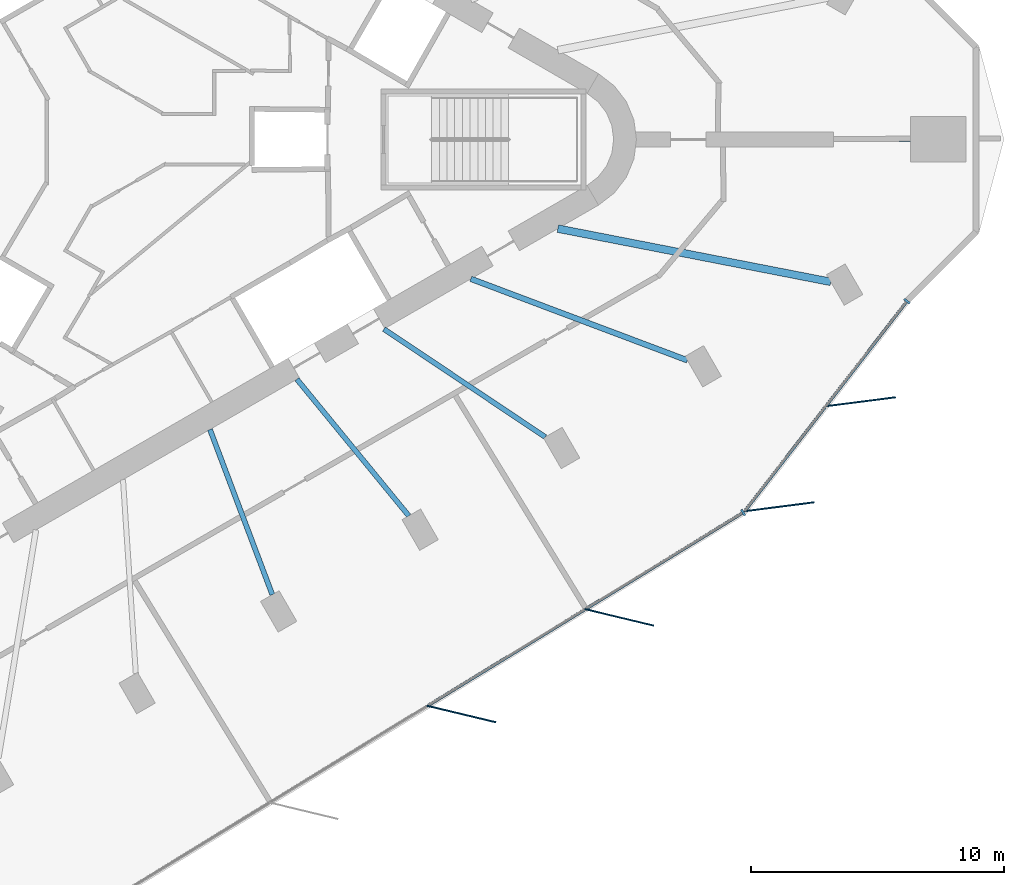
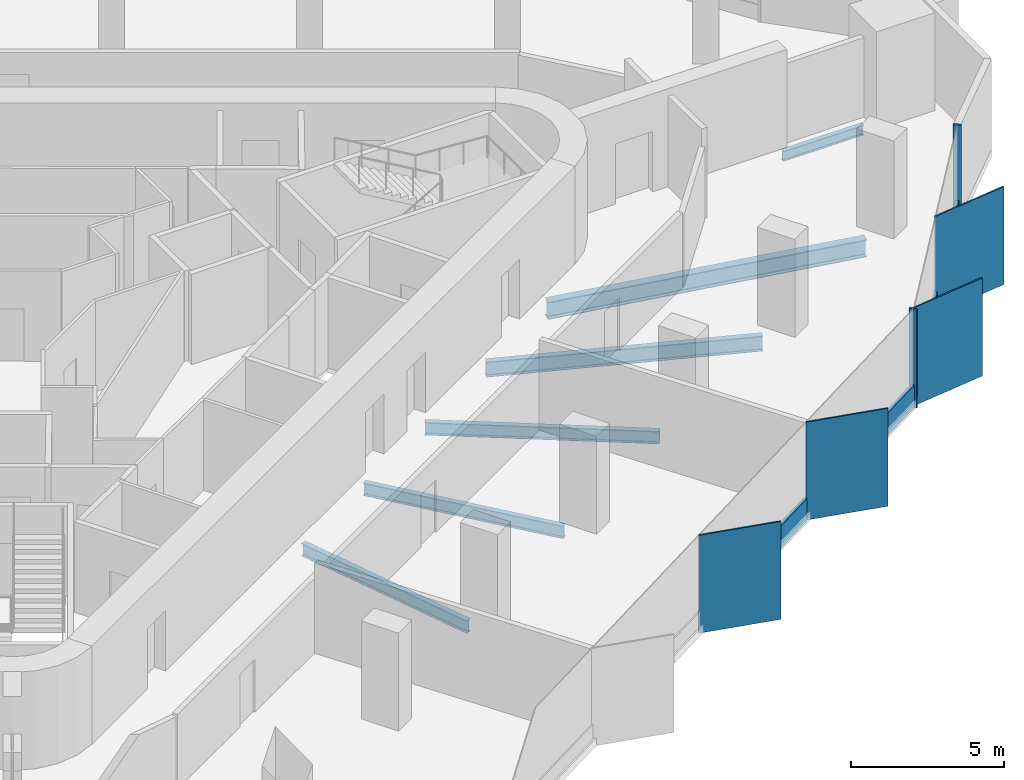
# One storey, part 3 of 12: 10 members, 6 beams, 2 elements without a shape of their own.
"""IFC4 building model written with IfcOpenShell, lengths in metres."""

from ifc_helpers import new_model, si_unit, direction, frame, origin, origin_2d, place, context, subcontext, project, spatial, rectangle, i_section, extrude, material, material_profile, profile_set, type_object, element, aggregate, save


model = new_model("IFC4")

# Units and contexts
model_context = context("Model", 3, precision=1e-05, world=origin(), true_north=direction((0.0, 1.0)))
body_context = subcontext(model_context, "Body", "Model", "MODEL_VIEW")
ifc_project = project(units=[si_unit("LENGTHUNIT", "METRE"), si_unit("AREAUNIT", "SQUARE_METRE"), si_unit("VOLUMEUNIT", "CUBIC_METRE"), si_unit("PLANEANGLEUNIT", "RADIAN"), si_unit("MASSUNIT", "GRAM", prefix="KILO")], contexts=[model_context])

# Site, building, storey
site_placement = place(None, origin())
site = spatial("IfcSite", under=ifc_project, at=site_placement, CompositionType="ELEMENT")
building_placement = place(site_placement, origin())
building = spatial("IfcBuilding", under=site, at=building_placement, Name="Tanit Gate Tower", CompositionType="ELEMENT")
storey_placement = place(building_placement, frame((0.0, 0.0, 349.39990234375)))
storey = spatial("IfcBuildingStorey", under=building, at=storey_placement, Name="L79", CompositionType="ELEMENT", Elevation=349.39990234375)

# Curtain wall, members
ifc_material_1 = material(Name="Aluminium bronze anodised and glass", Category="aluminium")
curtain_wall_type = type_object("IfcCurtainWallType", Name="Curtain wall typical high", PredefinedType="NOTDEFINED", material=ifc_material_1)
curtain_wall_1_placement = place(storey_placement, origin())
curtain_wall_1 = element("IfcCurtainWall", 1, at=curtain_wall_1_placement, inside=storey, type_object=curtain_wall_type, Name="Curtain wall L79 SE2", PredefinedType="NOTDEFINED")
ifc_material_2 = material(Name="Aluminium bronze anodised", Category="aluminium")
ifc_material_profile_1 = material_profile(ifc_material_2, rectangle(XDim=2.800048828125, YDim=0.055908203125, at=origin_2d()), Name="56x2800 bronze fin mullion")
ifc_profile_set_1 = profile_set([ifc_material_profile_1], Name="Aluminium bronze anodised")
member_type_1 = type_object("IfcMemberType", Name="FIN MULLION 56x2800 bronze", PredefinedType="MULLION", material=ifc_profile_set_1)
member_1_placement = place(storey_placement, frame((14.2783203125, -22.727783203125, -0.2998046875), z_axis=(0.0, 0.0, 1.0), x_axis=(-0.972310815553, 0.233691416098, 0.0)))
member_1 = element("IfcMember", 2, at=member_1_placement, type_object=member_type_1, Name="Fin mullion L79 SE2.3", PredefinedType="MULLION", context=body_context, shape_type="SweptSolid", body=[
    extrude(rectangle(XDim=2.800048828125, YDim=0.055908203125, at=origin_2d()), origin(), (0.0, 0.0, 1.0), 3.89990234375),
])
member_2_placement = place(storey_placement, frame((20.521484375, -18.904296875, -0.2998046875), z_axis=(0.0, 0.0, 1.0), x_axis=(-0.972310815553, 0.233691416098, 0.0)))
member_2 = element("IfcMember", 3, at=member_2_placement, type_object=member_type_1, Name="Fin mullion L79 SE2.4", PredefinedType="MULLION", context=body_context, shape_type="SweptSolid", body=[
    extrude(rectangle(XDim=2.800048828125, YDim=0.055908203125, at=origin_2d()), origin(), (0.0, 0.0, 1.0), 3.89990234375),
])

curtain_wall_2_placement = place(storey_placement, origin())
curtain_wall_2 = element("IfcCurtainWall", 4, at=curtain_wall_2_placement, inside=storey, type_object=curtain_wall_type, Name="Curtain wall L79 SE3", PredefinedType="NOTDEFINED")
member_3_placement = place(storey_placement, frame((26.85009765625, -14.5302734375, -0.2998046875), z_axis=(0.0, 0.0, 1.0), x_axis=(-0.991908319997, -0.126956231515, 0.0)))
member_3 = element("IfcMember", 5, at=member_3_placement, type_object=member_type_1, Name="Fin mullion L79 SE3.1", PredefinedType="MULLION", context=body_context, shape_type="SweptSolid", body=[
    extrude(rectangle(XDim=2.800048828125, YDim=0.055908203125, at=origin_2d()), origin(), (0.0, 0.0, 1.0), 3.89990234375),
])
member_4_placement = place(storey_placement, frame((30.060791015625, -10.377197265625, -0.2998046875), z_axis=(0.0, 0.0, 1.0), x_axis=(-0.991908319997, -0.126956231515, 0.0)))
member_4 = element("IfcMember", 6, at=member_4_placement, type_object=member_type_1, Name="Fin mullion L79 SE3.2", PredefinedType="MULLION", context=body_context, shape_type="SweptSolid", body=[
    extrude(rectangle(XDim=2.800048828125, YDim=0.055908203125, at=origin_2d()), origin(), (0.0, 0.0, 1.0), 3.89990234375),
])

# Member
ifc_material_3 = material(Name="Aluminium bronze anodised", Category="aluminium")
ifc_material_profile_2 = material_profile(ifc_material_3, rectangle(XDim=0.280029296875, YDim=0.080078125, at=origin_2d()), Name="80x280 bronze mullion")
ifc_profile_set_2 = profile_set([ifc_material_profile_2], Name="Aluminium bronze anodised")
member_type_2 = type_object("IfcMemberType", Name="Mullion 80x280 typical high", PredefinedType="MULLION", material=ifc_profile_set_2)
member_5_placement = place(storey_placement, frame((25.42236328125, -14.758056640625, -0.2998046875), z_axis=(0.0, 0.0, 1.0), x_axis=(-0.522282786071, 0.852772356127, 0.0)))
member_5 = element("IfcMember", 7, at=member_5_placement, type_object=member_type_2, Name="Mullion L79 SE2.5", PredefinedType="MULLION", context=body_context, shape_type="SweptSolid", body=[
    extrude(rectangle(XDim=0.280029296875, YDim=0.080078125, at=origin_2d()), origin(), (0.0, 0.0, 1.0), 3.89990234375),
])

member_6_placement = place(storey_placement, frame((31.902587890625, -6.399169921875, -0.2998046875), z_axis=(0.0, 0.0, 1.0), x_axis=(-0.791156711604, 0.611613487167, 0.0)))
member_6 = element("IfcMember", 8, at=member_6_placement, type_object=member_type_2, Name="Mullion L79 SE3.3", PredefinedType="MULLION", context=body_context, shape_type="SweptSolid", body=[
    extrude(rectangle(XDim=0.280029296875, YDim=0.080078125, at=origin_2d()), origin(), (0.0, 0.0, 1.0), 3.89990234375),
])

# Beams
ifc_material_4 = material(Name="Steel S355", Category="steel")
ifc_material_profile_3 = material_profile(ifc_material_4, i_section(OverallWidth=0.300048828125, OverallDepth=0.68994140625, WebThickness=0.014404296875, FlangeThickness=0.027099609375, FilletRadius=0.027099609375, at=origin_2d()), Name="HEA 700")
ifc_profile_set_3 = profile_set([ifc_material_profile_3], Name="Steel S355")
beam_type_1 = type_object("IfcBeamType", Name="RADIAL GIRDER HEA 700 S355", PredefinedType="BEAM", material=ifc_profile_set_3)
beam_1_placement = place(storey_placement, frame((28.885498046875, -5.6337890625, -0.64501953125), z_axis=(-0.981508704714, 0.191417508528, 0.0), x_axis=(-0.191417508528, -0.981508704714, 0.0)))
element("IfcBeam", 9, at=beam_1_placement, inside=storey, type_object=beam_type_1, Name="RADIAL GIRDER", PredefinedType="BEAM", context=body_context, shape_type="SweptSolid", body=[
    extrude(i_section(OverallWidth=0.300048828125, OverallDepth=0.68994140625, WebThickness=0.014404296875, FlangeThickness=0.027099609375, FilletRadius=0.027099609375, at=origin_2d()), origin(), (0.0, 0.0, 1.0), 10.996826171875),
])
ifc_material_5 = material(Name="Steel S355", Category="steel")
ifc_material_profile_4 = material_profile(ifc_material_5, i_section(OverallWidth=0.179931640625, OverallDepth=0.39990234375, WebThickness=0.008544921875, FlangeThickness=0.013427734375, FilletRadius=0.02099609375, at=origin_2d()), Name="IPE 400")
ifc_profile_set_4 = profile_set([ifc_material_profile_4], Name="Steel S355")
beam_type_2 = type_object("IfcBeamType", Name="RADIAL GIRDER IPE 400 S355", PredefinedType="BEAM", material=ifc_profile_set_4)
beam_2_placement = place(storey_placement, frame((32.039306640625, 0.0, -0.5), z_axis=(-1.0, 0.0, 0.0), x_axis=(0.0, -1.0, 0.0)))
element("IfcBeam", 10, at=beam_2_placement, inside=storey, type_object=beam_type_2, Name="RADIAL GIRDER", PredefinedType="BEAM", context=body_context, shape_type="SweptSolid", body=[
    extrude(i_section(OverallWidth=0.179931640625, OverallDepth=0.39990234375, WebThickness=0.008544921875, FlangeThickness=0.013427734375, FilletRadius=0.02099609375, at=origin_2d()), origin(), (0.0, 0.0, 1.0), 3.034912109375),
])
ifc_material_6 = material(Name="Steel S355", Category="steel")
ifc_material_profile_5 = material_profile(ifc_material_6, i_section(OverallWidth=0.199951171875, OverallDepth=0.5, WebThickness=0.01025390625, FlangeThickness=0.01611328125, FilletRadius=0.02099609375, at=origin_2d()), Name="IPE 500")
ifc_profile_set_5 = profile_set([ifc_material_profile_5], Name="Steel S355")
beam_type_3 = type_object("IfcBeamType", Name="RADIAL GIRDER IPE 500 S355", PredefinedType="BEAM", material=ifc_profile_set_5)
beam_3_placement = place(storey_placement, frame((6.79638671875, -18.005859375, -0.5498046875), z_axis=(-0.353142148435, 0.935569678324, 0.0), x_axis=(-0.935569678324, -0.353142148435, 0.0)))
element("IfcBeam", 11, at=beam_3_placement, inside=storey, type_object=beam_type_3, Name="RADIAL GIRDER", PredefinedType="BEAM", context=body_context, shape_type="SweptSolid", body=[
    extrude(i_section(OverallWidth=0.199951171875, OverallDepth=0.5, WebThickness=0.01025390625, FlangeThickness=0.01611328125, FilletRadius=0.02099609375, at=origin_2d()), origin(), (0.0, 0.0, 1.0), 6.98193359375),
])
beam_4_placement = place(storey_placement, frame((12.1953125, -14.888916015625, -0.5498046875), z_axis=(-0.633668026137, 0.773605088305, 0.0), x_axis=(-0.773605088305, -0.633668026137, 0.0)))
element("IfcBeam", 12, at=beam_4_placement, inside=storey, type_object=beam_type_3, Name="RADIAL GIRDER", PredefinedType="BEAM", context=body_context, shape_type="SweptSolid", body=[
    extrude(i_section(OverallWidth=0.199951171875, OverallDepth=0.5, WebThickness=0.01025390625, FlangeThickness=0.01611328125, FilletRadius=0.02099609375, at=origin_2d()), origin(), (0.0, 0.0, 1.0), 6.982177734375),
])
beam_5_placement = place(storey_placement, frame((17.59423828125, -11.771728515625, -0.5498046875), z_axis=(-0.831129673439, 0.556078650849, 0.0), x_axis=(-0.556078650849, -0.831129673439, 0.0)))
element("IfcBeam", 13, at=beam_5_placement, inside=storey, type_object=beam_type_3, Name="RADIAL GIRDER", PredefinedType="BEAM", context=body_context, shape_type="SweptSolid", body=[
    extrude(i_section(OverallWidth=0.199951171875, OverallDepth=0.5, WebThickness=0.01025390625, FlangeThickness=0.01611328125, FilletRadius=0.02099609375, at=origin_2d()), origin(), (0.0, 0.0, 1.0), 7.6796875),
])
ifc_material_7 = material(Name="Steel S355", Category="steel")
ifc_material_profile_6 = material_profile(ifc_material_7, i_section(OverallWidth=0.219970703125, OverallDepth=0.60009765625, WebThickness=0.011962890625, FlangeThickness=0.01904296875, FilletRadius=0.02392578125, at=origin_2d()), Name="IPE 600")
ifc_profile_set_6 = profile_set([ifc_material_profile_6], Name="Steel S355")
beam_type_4 = type_object("IfcBeamType", Name="RADIAL GIRDER IPE 600 S355", PredefinedType="BEAM", material=ifc_profile_set_6)
beam_6_placement = place(storey_placement, frame((23.213623046875, -8.73779296875, -0.599853515625), z_axis=(-0.935888654917, 0.352295934688, 0.0), x_axis=(-0.352295934688, -0.935888654917, 0.0)))
element("IfcBeam", 14, at=beam_6_placement, inside=storey, type_object=beam_type_4, Name="RADIAL GIRDER", PredefinedType="BEAM", context=body_context, shape_type="SweptSolid", body=[
    extrude(i_section(OverallWidth=0.219970703125, OverallDepth=0.60009765625, WebThickness=0.011962890625, FlangeThickness=0.01904296875, FilletRadius=0.02392578125, at=origin_2d()), origin(), (0.0, 0.0, 1.0), 9.148193359375),
])

# Member
ifc_material_8 = material(Name="Aluminium bronze anodised", Category="aluminium")
ifc_material_profile_7 = material_profile(ifc_material_8, rectangle(XDim=0.1201171875, YDim=0.89990234375, at=origin_2d()), Name="120x900 bronze transom")
ifc_profile_set_7 = profile_set([ifc_material_profile_7], Name="Aluminium bronze anodised")
member_type_3 = type_object("IfcMemberType", Name="Transom 120x900 typical high", PredefinedType="USERDEFINED", material=ifc_profile_set_7)
member_7_placement = place(storey_placement, frame((12.970458984375, -22.384521484375, 0.150146484375), z_axis=(0.852759670924, 0.522303497639, 0.0), x_axis=(-0.522303497639, 0.852759670924, 0.0)))
member_7 = element("IfcMember", 15, at=member_7_placement, type_object=member_type_3, Name="Transom L79 SE2.3", ObjectType="TRANSOM", PredefinedType="USERDEFINED", context=body_context, shape_type="SweptSolid", body=[
    extrude(rectangle(XDim=0.1201171875, YDim=0.89990234375, at=origin_2d()), origin(), (0.0, 0.0, 1.0), 7.240966796875),
])

member_8_placement = place(storey_placement, frame((19.21337890625, -18.560791015625, 0.150146484375), z_axis=(0.852783884994, 0.522263961513, 0.0), x_axis=(-0.522263961513, 0.852783884994, 0.0)))
member_8 = element("IfcMember", 16, at=member_8_placement, type_object=member_type_3, Name="Transom L79 SE2.4", ObjectType="TRANSOM", PredefinedType="USERDEFINED", context=body_context, shape_type="SweptSolid", body=[
    extrude(rectangle(XDim=0.1201171875, YDim=0.89990234375, at=origin_2d()), origin(), (0.0, 0.0, 1.0), 7.240966796875),
])

aggregate(curtain_wall_1, [member_1, member_2, member_5, member_7, member_8])

member_9_placement = place(storey_placement, frame((25.505615234375, -14.673828125, 0.150146484375), z_axis=(0.611603409018, 0.791164502539, 0.0), x_axis=(-0.791164502539, 0.611603409018, 0.0)))
member_9 = element("IfcMember", 17, at=member_9_placement, type_object=member_type_3, Name="Transom L79 SE3.1", ObjectType="TRANSOM", PredefinedType="USERDEFINED", context=body_context, shape_type="SweptSolid", body=[
    extrude(rectangle(XDim=0.1201171875, YDim=0.89990234375, at=origin_2d()), origin(), (0.0, 0.0, 1.0), 5.16943359375),
])

member_10_placement = place(storey_placement, frame((28.71630859375, -10.520751953125, 0.150146484375), z_axis=(0.611580556954, 0.791182167618, 0.0), x_axis=(-0.791182167618, 0.611580556954, 0.0)))
member_10 = element("IfcMember", 18, at=member_10_placement, type_object=member_type_3, Name="Transom L79 SE3.2", ObjectType="TRANSOM", PredefinedType="USERDEFINED", context=body_context, shape_type="SweptSolid", body=[
    extrude(rectangle(XDim=0.1201171875, YDim=0.89990234375, at=origin_2d()), origin(), (0.0, 0.0, 1.0), 5.169677734375),
])

aggregate(curtain_wall_2, [member_3, member_4, member_6, member_9, member_10])

save(model, "model.ifc")
